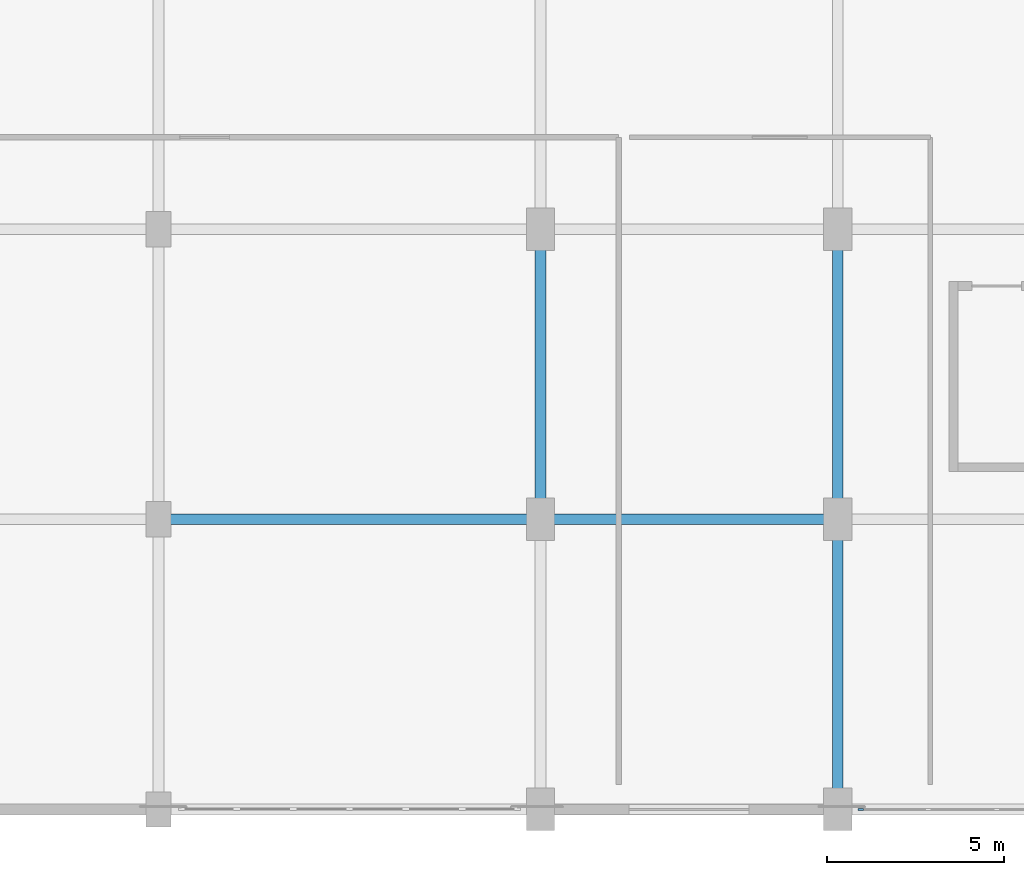
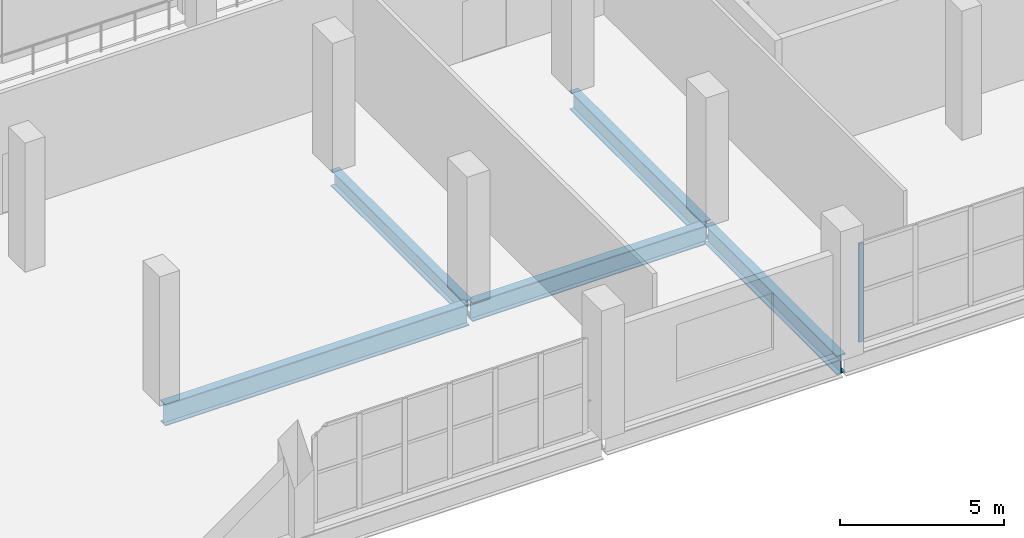
# One storey, part 12 of 104: 5 beams, 1 member, 1 element without a shape of its own.
"""IFC4 building model written with IfcOpenShell, lengths in metres."""

from ifc_helpers import new_model, si_unit, direction, frame, origin, origin_2d, place, context, subcontext, project, spatial, rectangle, i_section, extrude, material, material_profile, profile_set, type_object, element, aggregate, save


model = new_model("IFC4")

# Units and contexts
model_context = context("Model", 3, precision=1e-05, world=origin(), true_north=direction((0.0, 1.0)))
body_context = subcontext(model_context, "Body", "Model", "MODEL_VIEW")
ifc_project = project(units=[si_unit("LENGTHUNIT", "METRE"), si_unit("AREAUNIT", "SQUARE_METRE"), si_unit("VOLUMEUNIT", "CUBIC_METRE"), si_unit("PLANEANGLEUNIT", "RADIAN"), si_unit("MASSUNIT", "GRAM", prefix="KILO")], contexts=[model_context])

# Site, building, storey
site_placement = place(None, origin())
site = spatial("IfcSite", under=ifc_project, at=site_placement, CompositionType="ELEMENT")
building_placement = place(site_placement, origin())
building = spatial("IfcBuilding", under=site, at=building_placement, Name="Koshinbarg Plaza Stadium", CompositionType="ELEMENT")
storey_placement = place(building_placement, frame((0.0, 0.0, 19.800048828125)))
storey = spatial("IfcBuildingStorey", under=building, at=storey_placement, Name="L04", CompositionType="ELEMENT", Elevation=19.800048828125)

# Beams
ifc_material_1 = material(Name="Steel S355", Category="steel")
ifc_material_profile_1 = material_profile(ifc_material_1, i_section(OverallWidth=0.300048828125, OverallDepth=0.60009765625, WebThickness=0.015380859375, FlangeThickness=0.030029296875, at=origin_2d()), Name="HEB 600")
ifc_profile_set_1 = profile_set([ifc_material_profile_1], Name="Steel S355")
beam_type_1 = type_object("IfcBeamType", Name="BM-SGIR-02", PredefinedType="USERDEFINED", material=ifc_profile_set_1)
beam_1_placement = place(storey_placement, frame((46.199951171875, 8.260009765625, -0.60009765625), z_axis=(0.0, 1.0, 0.0), x_axis=(-1.0, 0.0, 0.0)))
element("IfcBeam", 1, at=beam_1_placement, inside=storey, type_object=beam_type_1, Name="L04 Y girder 7/B-C", ObjectType="GIRDER", PredefinedType="USERDEFINED", context=body_context, shape_type="SweptSolid", body=[
    extrude(i_section(OverallWidth=0.300048828125, OverallDepth=0.60009765625, WebThickness=0.015380859375, FlangeThickness=0.030029296875, at=origin_2d()), origin(), (0.0, 0.0, 1.0), 8.080078125),
])
ifc_material_profile_2 = material_profile(ifc_material_1, i_section(OverallWidth=0.300048828125, OverallDepth=0.699951171875, WebThickness=0.01708984375, FlangeThickness=0.031982421875, at=origin_2d()), Name="HEB 700")
ifc_profile_set_2 = profile_set([ifc_material_profile_2], Name="Steel S355")
beam_type_2 = type_object("IfcBeamType", Name="BM-SGIR-03", PredefinedType="USERDEFINED", material=ifc_profile_set_2)
beam_2_placement = place(storey_placement, frame((46.260009765625, 8.199951171875, -0.650146484375), z_axis=(1.0, 0.0, 0.0), x_axis=(0.0, 1.0, 0.0)))
element("IfcBeam", 2, at=beam_2_placement, inside=storey, type_object=beam_type_2, Name="L04 X girder B/7-8", ObjectType="GIRDER", PredefinedType="USERDEFINED", context=body_context, shape_type="SweptSolid", body=[
    extrude(i_section(OverallWidth=0.300048828125, OverallDepth=0.699951171875, WebThickness=0.01708984375, FlangeThickness=0.031982421875, at=origin_2d()), origin(), (0.0, 0.0, 1.0), 8.280029296875),
])
beam_3_placement = place(storey_placement, frame((54.60009765625, 0.06005859375, -0.650146484375), z_axis=(0.0, 1.0, 0.0), x_axis=(-1.0, 0.0, 0.0)))
element("IfcBeam", 3, at=beam_3_placement, inside=storey, type_object=beam_type_2, Name="L04 Y girder 8/A-B", ObjectType="GIRDER", PredefinedType="USERDEFINED", context=body_context, shape_type="SweptSolid", body=[
    extrude(i_section(OverallWidth=0.300048828125, OverallDepth=0.699951171875, WebThickness=0.01708984375, FlangeThickness=0.031982421875, at=origin_2d()), origin(), (0.0, 0.0, 1.0), 8.079833984375),
])
beam_4_placement = place(storey_placement, frame((54.60009765625, 8.260009765625, -0.650146484375), z_axis=(0.0, 1.0, 0.0), x_axis=(-1.0, 0.0, 0.0)))
element("IfcBeam", 4, at=beam_4_placement, inside=storey, type_object=beam_type_2, Name="L04 Y girder 8/B-C", ObjectType="GIRDER", PredefinedType="USERDEFINED", context=body_context, shape_type="SweptSolid", body=[
    extrude(i_section(OverallWidth=0.300048828125, OverallDepth=0.699951171875, WebThickness=0.01708984375, FlangeThickness=0.031982421875, at=origin_2d()), origin(), (0.0, 0.0, 1.0), 8.080078125),
])
ifc_material_profile_3 = material_profile(ifc_material_1, i_section(OverallWidth=0.300048828125, OverallDepth=0.800048828125, WebThickness=0.017578125, FlangeThickness=0.032958984375, at=origin_2d()), Name="HEB 800")
ifc_profile_set_3 = profile_set([ifc_material_profile_3], Name="Steel S355")
beam_type_3 = type_object("IfcBeamType", Name="BM-SGIR-04", PredefinedType="USERDEFINED", material=ifc_profile_set_3)
beam_5_placement = place(storey_placement, frame((35.4599609375, 8.199951171875, -0.699951171875), z_axis=(1.0, 0.0, 0.0), x_axis=(0.0, 1.0, 0.0)))
element("IfcBeam", 5, at=beam_5_placement, inside=storey, type_object=beam_type_3, Name="L04 X girder B/6-7", ObjectType="GIRDER", PredefinedType="USERDEFINED", context=body_context, shape_type="SweptSolid", body=[
    extrude(i_section(OverallWidth=0.300048828125, OverallDepth=0.800048828125, WebThickness=0.017578125, FlangeThickness=0.032958984375, at=origin_2d()), origin(), (0.0, 0.0, 1.0), 10.679931640625),
])

# Curtain wall, member
ifc_material_2 = material(Name="Thermally broken anodised aluminium and low-E double glazing", Category="aluminium")
curtain_wall_type = type_object("IfcCurtainWallType", Name="CW-SYS-14", PredefinedType="NOTDEFINED", material=ifc_material_2)
curtain_wall_placement = place(storey_placement, origin())
curtain_wall = element("IfcCurtainWall", 6, at=curtain_wall_placement, inside=storey, type_object=curtain_wall_type, Name="L04 unitised curtain wall CW-L04-109", PredefinedType="NOTDEFINED")
ifc_material_3 = material(Name="Anodised aluminium mullion", Category="aluminium")
ifc_material_profile_4 = material_profile(ifc_material_3, rectangle(XDim=0.06005859375, YDim=0.159912109375, at=origin_2d()), Name="ALU 60x160")
ifc_profile_set_4 = profile_set([ifc_material_profile_4], Name="Anodised aluminium mullion")
member_type = type_object("IfcMemberType", Name="CW-MUL-02", PredefinedType="MULLION", material=ifc_profile_set_4)
member_placement = place(storey_placement, frame((55.25, 0.0, 0.0), z_axis=(0.0, 0.0, 1.0), x_axis=(0.0, -1.0, 0.0)))
member = element("IfcMember", 7, at=member_placement, type_object=member_type, Name="CW14 mullion 5", PredefinedType="MULLION", context=body_context, shape_type="SweptSolid", body=[
    extrude(rectangle(XDim=0.06005859375, YDim=0.159912109375, at=origin_2d()), origin(), (0.0, 0.0, 1.0), 3.679931640625),
])
aggregate(curtain_wall, [member])

save(model, "model.ifc")
